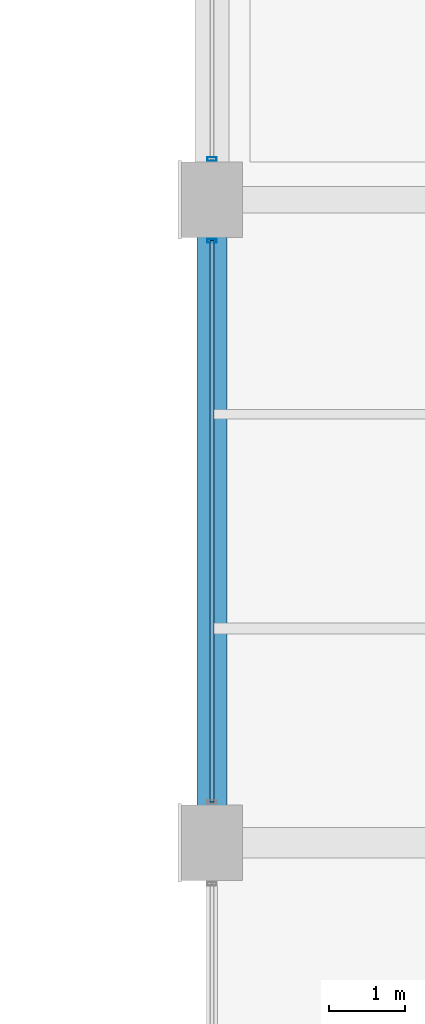
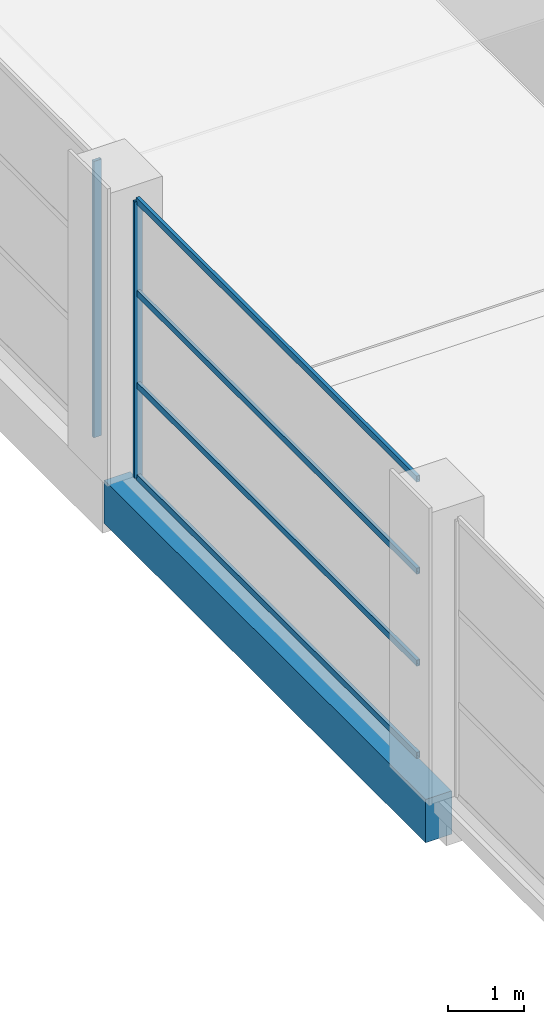
# One storey, part 54 of 112: 6 members, 1 beam, 2 elements without a shape of their own.
"""IFC4 building model written with IfcOpenShell, lengths in metres."""

from ifc_helpers import new_model, si_unit, direction, frame, origin, origin_2d, place, context, subcontext, project, spatial, rectangle, hollow_rectangle, extrude, material, material_profile, profile_set, type_object, element, aggregate, save


model = new_model("IFC4")

# Units and contexts
model_context = context("Model", 3, precision=1e-05, world=origin(), true_north=direction((0.0, 1.0)))
body_context = subcontext(model_context, "Body", "Model", "MODEL_VIEW")
ifc_project = project(units=[si_unit("LENGTHUNIT", "METRE"), si_unit("AREAUNIT", "SQUARE_METRE"), si_unit("VOLUMEUNIT", "CUBIC_METRE"), si_unit("PLANEANGLEUNIT", "RADIAN"), si_unit("MASSUNIT", "GRAM", prefix="KILO")], contexts=[model_context])

# Site, building, storey
site_placement = place(None, origin())
site = spatial("IfcSite", under=ifc_project, at=site_placement, CompositionType="ELEMENT")
building_placement = place(site_placement, origin())
building = spatial("IfcBuilding", under=site, at=building_placement, Name="Solvikara Media Centre", CompositionType="ELEMENT")
storey_placement = place(building_placement, frame((0.0, 0.0, 5.39990234375)))
storey = spatial("IfcBuildingStorey", under=building, at=storey_placement, Name="L01", CompositionType="ELEMENT", Elevation=5.39990234375)

# Beam
ifc_material_1 = material(Name="Concrete fc' 35 MPa (C35/45)", Category="concrete")
ifc_material_profile_1 = material_profile(ifc_material_1, rectangle(XDim=0.39990234375, YDim=0.699951171875, at=origin_2d()), Name="RC 400x700")
ifc_profile_set_1 = profile_set([ifc_material_profile_1], Name="Concrete fc' 35 MPa (C35/45)")
beam_type = type_object("IfcBeamType", Name="BM-13", PredefinedType="SPANDREL", material=ifc_profile_set_1)
beam_placement = place(storey_placement, frame((127.5, 80.5, -0.64990234375), z_axis=(0.0, 1.0, 0.0), x_axis=(-1.0, 0.0, 0.0)))
element("IfcBeam", 1, at=beam_placement, inside=storey, type_object=beam_type, Name="B-L01-Y0607", PredefinedType="SPANDREL", context=body_context, shape_type="SweptSolid", body=[
    extrude(rectangle(XDim=0.39990234375, YDim=0.699951171875, at=origin_2d()), origin(), (0.0, 0.0, 1.0), 8.5),
])

# Curtain wall, member
ifc_material_2 = material(Name="Anodised aluminium EN AW-6063", Category="aluminium")
curtain_wall_type = type_object("IfcCurtainWallType", Name="CW-12", PredefinedType="NOTDEFINED", material=ifc_material_2)
curtain_wall_1_placement = place(storey_placement, origin())
curtain_wall_1 = element("IfcCurtainWall", 2, at=curtain_wall_1_placement, inside=storey, type_object=curtain_wall_type, Name="CW-L01-V2W-S4", PredefinedType="NOTDEFINED")
ifc_material_profile_2 = material_profile(ifc_material_2, hollow_rectangle(XDim=0.050048828125, YDim=0.1201171875, WallThickness=0.0029296875, at=origin_2d()), Name="ALU-M 50x120x3")
ifc_profile_set_2 = profile_set([ifc_material_profile_2], Name="Anodised aluminium EN AW-6063")
member_type_1 = type_object("IfcMemberType", Name="MF-06", PredefinedType="MULLION", material=ifc_profile_set_2)
member_1_placement = place(storey_placement, frame((127.5, 88.4599609375, 0.02001953125), z_axis=(0.0, 0.0, 1.0), x_axis=(0.0, 1.0, 0.0)))
member_1 = element("IfcMember", 3, at=member_1_placement, type_object=member_type_1, Name="CW-L01-V2W-S4-M01", PredefinedType="MULLION", context=body_context, shape_type="SweptSolid", body=[
    extrude(hollow_rectangle(XDim=0.050048828125, YDim=0.1201171875, WallThickness=0.0029296875, at=origin_2d()), origin(), (0.0, 0.0, 1.0), 4.4599609375),
])

curtain_wall_2_placement = place(storey_placement, origin())
curtain_wall_2 = element("IfcCurtainWall", 4, at=curtain_wall_2_placement, inside=storey, type_object=curtain_wall_type, Name="CW-L01-V2W-S5", PredefinedType="NOTDEFINED")
member_2_placement = place(storey_placement, frame((127.5, 89.5400390625, 0.02001953125), z_axis=(0.0, 0.0, 1.0), x_axis=(0.0, 1.0, 0.0)))
member_2 = element("IfcMember", 5, at=member_2_placement, type_object=member_type_1, Name="CW-L01-V2W-S5-M00", PredefinedType="MULLION", context=body_context, shape_type="SweptSolid", body=[
    extrude(hollow_rectangle(XDim=0.050048828125, YDim=0.1201171875, WallThickness=0.0029296875, at=origin_2d()), origin(), (0.0, 0.0, 1.0), 4.4599609375),
])
aggregate(curtain_wall_2, [member_2])

# Member
ifc_material_profile_3 = material_profile(ifc_material_2, hollow_rectangle(XDim=0.050048828125, YDim=0.10009765625, WallThickness=0.0029296875, at=origin_2d()), Name="ALU-T 50x100x3")
ifc_profile_set_3 = profile_set([ifc_material_profile_3], Name="Anodised aluminium EN AW-6063")
member_type_2 = type_object("IfcMemberType", Name="MF-12", PredefinedType="USERDEFINED", material=ifc_profile_set_3)
member_3_placement = place(storey_placement, frame((127.5, 81.0400390625, 0.02001953125), z_axis=(0.0, 1.0, 0.0), x_axis=(-1.0, 0.0, 0.0)))
member_3 = element("IfcMember", 6, at=member_3_placement, type_object=member_type_2, Name="CW-L01-V2W-S4-T00", ObjectType="TRANSOM", PredefinedType="USERDEFINED", context=body_context, shape_type="SweptSolid", body=[
    extrude(hollow_rectangle(XDim=0.050048828125, YDim=0.10009765625, WallThickness=0.0029296875, at=origin_2d()), origin(), (0.0, 0.0, 1.0), 7.419921875),
])

member_4_placement = place(storey_placement, frame((127.5, 81.0400390625, 1.507080078125), z_axis=(0.0, 1.0, 0.0), x_axis=(-1.0, 0.0, 0.0)))
member_4 = element("IfcMember", 7, at=member_4_placement, type_object=member_type_2, Name="CW-L01-V2W-S4-T01", ObjectType="TRANSOM", PredefinedType="USERDEFINED", context=body_context, shape_type="SweptSolid", body=[
    extrude(hollow_rectangle(XDim=0.050048828125, YDim=0.10009765625, WallThickness=0.0029296875, at=origin_2d()), origin(), (0.0, 0.0, 1.0), 7.419921875),
])

member_5_placement = place(storey_placement, frame((127.5, 81.0400390625, 2.9931640625), z_axis=(0.0, 1.0, 0.0), x_axis=(-1.0, 0.0, 0.0)))
member_5 = element("IfcMember", 8, at=member_5_placement, type_object=member_type_2, Name="CW-L01-V2W-S4-T02", ObjectType="TRANSOM", PredefinedType="USERDEFINED", context=body_context, shape_type="SweptSolid", body=[
    extrude(hollow_rectangle(XDim=0.050048828125, YDim=0.10009765625, WallThickness=0.0029296875, at=origin_2d()), origin(), (0.0, 0.0, 1.0), 7.419921875),
])

member_6_placement = place(storey_placement, frame((127.5, 81.0400390625, 4.47998046875), z_axis=(0.0, 1.0, 0.0), x_axis=(-1.0, 0.0, 0.0)))
member_6 = element("IfcMember", 9, at=member_6_placement, type_object=member_type_2, Name="CW-L01-V2W-S4-T03", ObjectType="TRANSOM", PredefinedType="USERDEFINED", context=body_context, shape_type="SweptSolid", body=[
    extrude(hollow_rectangle(XDim=0.050048828125, YDim=0.10009765625, WallThickness=0.0029296875, at=origin_2d()), origin(), (0.0, 0.0, 1.0), 7.419921875),
])

aggregate(curtain_wall_1, [member_1, member_3, member_4, member_5, member_6])

save(model, "model.ifc")
